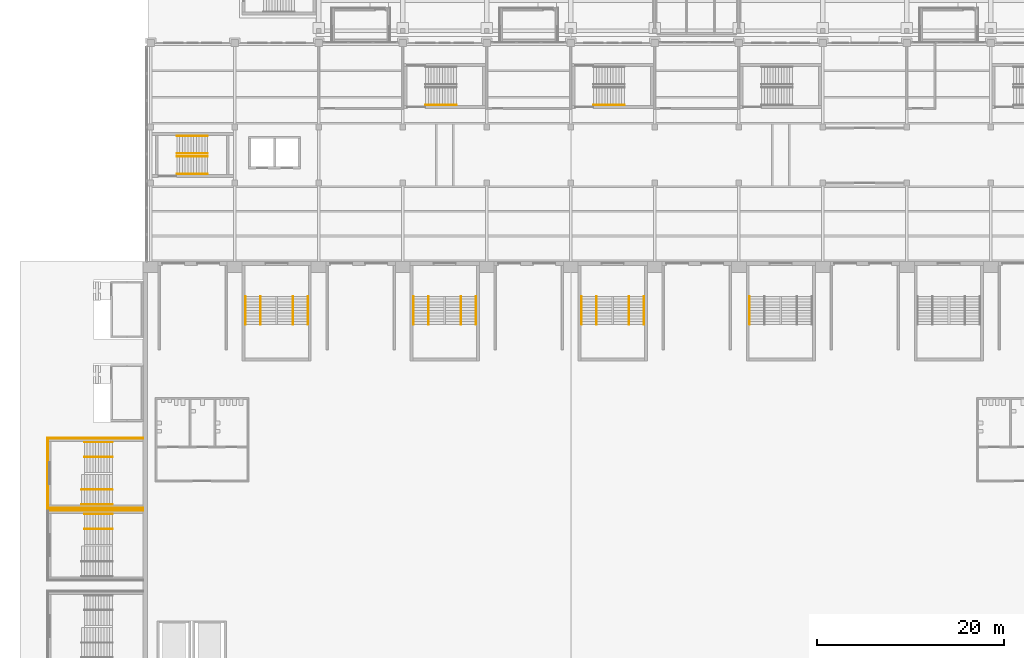
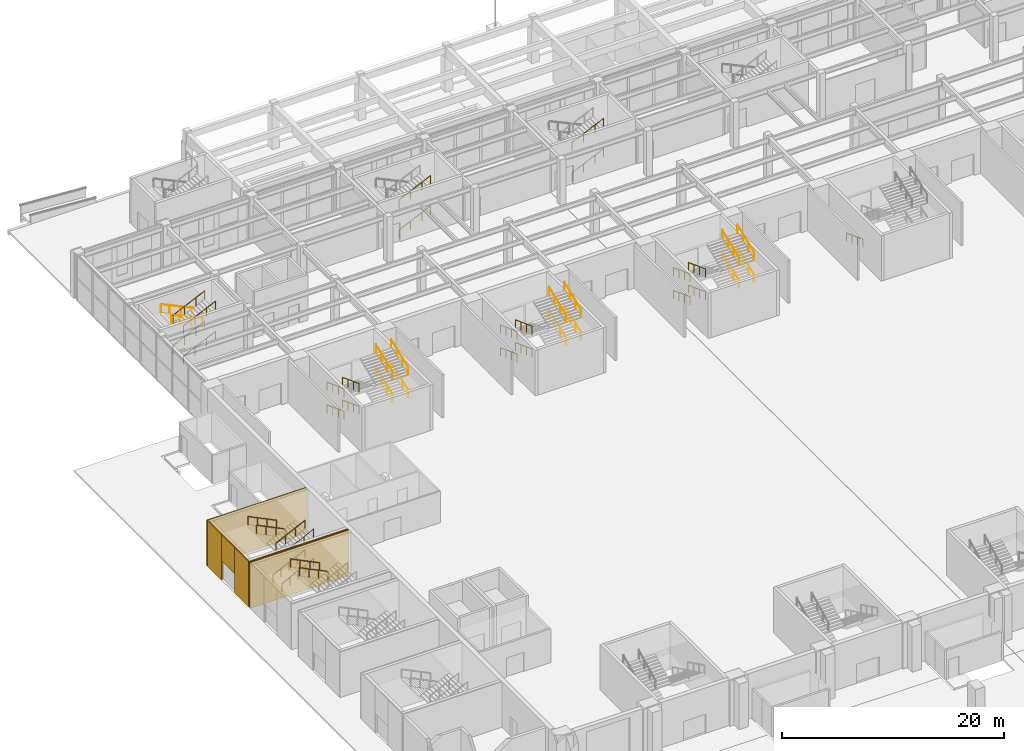
# One storey, part 66 of 77: 43 railings, 6 coverings.
"""IFC4 building model written with IfcOpenShell, lengths in metres."""

from ifc_helpers import new_model, si_unit, direction, frame, origin, origin_2d, place, context, subcontext, project, spatial, polyline, circle, outline, extrude, material, layer, layer_set, type_object, element, save


model = new_model("IFC4")

# Units and contexts
model_context = context("Model", 3, precision=1e-05, world=origin(), true_north=direction((0.0, 1.0)))
body_context = subcontext(model_context, "Body", "Model", "MODEL_VIEW")
ifc_project = project(units=[si_unit("LENGTHUNIT", "METRE"), si_unit("AREAUNIT", "SQUARE_METRE"), si_unit("VOLUMEUNIT", "CUBIC_METRE"), si_unit("PLANEANGLEUNIT", "RADIAN"), si_unit("MASSUNIT", "GRAM", prefix="KILO")], contexts=[model_context])

# Site, building, storey
site_placement = place(None, origin())
site = spatial("IfcSite", under=ifc_project, at=site_placement, CompositionType="ELEMENT")
building_placement = place(site_placement, origin())
building = spatial("IfcBuilding", under=site, at=building_placement, Name="Aravalli Gate Trade Fair Centre", CompositionType="ELEMENT")
storey_placement = place(building_placement, origin())
storey = spatial("IfcBuildingStorey", under=building, at=storey_placement, Name="L00", CompositionType="ELEMENT", Elevation=0.0)

# Railings
ifc_material_1 = material(Name="Steel E350", Category="steel")
railing_type_1 = type_object("IfcRailingType", Name="Concourse stair handrail 900", PredefinedType="HANDRAIL", material=ifc_material_1)
for number, where, name in (
    (1, (8.800048828125, 118.949951171875, 0.138916015625), "Handrail WS L00 flight 1o"),
    (2, (8.800048828125, 120.85009765625, 0.138916015625), "Handrail WS L00 flight 1i"),
):
    element("IfcRailing", number, at=place(storey_placement, frame(where)), inside=storey, type_object=railing_type_1, Name=name, PredefinedType="HANDRAIL", context=body_context, shape_type="SweptSolid", body=[
        extrude(circle(Radius=0.02392578125, at=origin_2d()), frame((0.0, 0.0, 0.8759765625), z_axis=(0.907499493834, 0.0, 0.420053173647), x_axis=(0.0, 1.0, 0.0)), (0.0, 0.0, 1.0), 1.322265625),
        extrude(circle(Radius=0.02392578125, at=origin_2d()), frame((1.199951171875, 0.0, 1.43115234375), z_axis=(0.907429102623, 0.0, 0.420205216189), x_axis=(0.0, 1.0, 0.0)), (0.0, 0.0, 1.0), 1.322265625),
        extrude(circle(Radius=0.02392578125, at=origin_2d()), frame((2.39990234375, 0.0, 1.98681640625), z_axis=(0.907461694017, 0.0, 0.420134828231), x_axis=(0.0, 1.0, 0.0)), (0.0, 0.0, 1.0), 0.991943359375),
        extrude(circle(Radius=0.02099609375, at=origin_2d()), origin(), (0.0, 0.0, 1.0), 0.851806640625),
        extrude(circle(Radius=0.02099609375, at=origin_2d()), frame((1.199951171875, 0.0, 0.555419921875)), (0.0, 0.0, 1.0), 0.851806640625),
        extrude(circle(Radius=0.02099609375, at=origin_2d()), frame((2.39990234375, 0.0, 1.111083984375)), (0.0, 0.0, 1.0), 0.851806640625),
        extrude(circle(Radius=0.02099609375, at=origin_2d()), frame((3.300048828125, 0.0, 1.52783203125)), (0.0, 0.0, 1.0), 0.851806640625),
    ])
for number, where, name in (
    (3, (12.10009765625, 123.050048828125, 1.8056640625), "Handrail WS L00 flight 2o"),
    (4, (12.10009765625, 121.14990234375, 1.8056640625), "Handrail WS L00 flight 2i"),
):
    element("IfcRailing", number, at=place(storey_placement, frame(where)), inside=storey, type_object=railing_type_1, Name=name, PredefinedType="HANDRAIL", context=body_context, shape_type="SweptSolid", body=[
        extrude(circle(Radius=0.02392578125, at=origin_2d()), frame((0.0, 0.0, 0.8759765625), z_axis=(-0.907532064172, 0.0, 0.419982800242), x_axis=(0.0, -1.0, 0.0)), (0.0, 0.0, 1.0), 1.322509765625),
        extrude(circle(Radius=0.02392578125, at=origin_2d()), frame((-1.2001953125, 0.0, 1.43115234375), z_axis=(-0.907429102623, 0.0, 0.420205216189), x_axis=(0.0, -1.0, 0.0)), (0.0, 0.0, 1.0), 1.322265625),
        extrude(circle(Radius=0.02392578125, at=origin_2d()), frame((-2.400146484375, 0.0, 1.98681640625), z_axis=(-0.907512096258, 0.0, 0.420025945799), x_axis=(0.0, -1.0, 0.0)), (0.0, 0.0, 1.0), 0.99169921875),
        extrude(circle(Radius=0.02099609375, at=origin_2d()), origin(), (0.0, 0.0, 1.0), 0.851806640625),
        extrude(circle(Radius=0.02099609375, at=origin_2d()), frame((-1.2001953125, 0.0, 0.555419921875)), (0.0, 0.0, 1.0), 0.851806640625),
        extrude(circle(Radius=0.02099609375, at=origin_2d()), frame((-2.400146484375, 0.0, 1.111083984375)), (0.0, 0.0, 1.0), 0.851806640625),
        extrude(circle(Radius=0.02099609375, at=origin_2d()), frame((-3.300048828125, 0.0, 1.527587890625)), (0.0, 0.0, 1.0), 0.851806640625),
    ])
for number, where, name in (
    (5, (8.800048828125, 118.949951171875, 3.47216796875), "Handrail WS L00 flight 3o"),
    (6, (8.800048828125, 120.85009765625, 3.47216796875), "Handrail WS L00 flight 3i"),
):
    element("IfcRailing", number, at=place(storey_placement, frame(where)), inside=storey, type_object=railing_type_1, Name=name, PredefinedType="HANDRAIL", context=body_context, shape_type="SweptSolid", body=[
        extrude(circle(Radius=0.02392578125, at=origin_2d()), frame((0.0, 0.0, 0.8759765625), z_axis=(0.907429102623, 0.0, 0.420205216189), x_axis=(0.0, 1.0, 0.0)), (0.0, 0.0, 1.0), 1.322265625),
        extrude(circle(Radius=0.02392578125, at=origin_2d()), frame((1.199951171875, 0.0, 1.431640625), z_axis=(0.907499493834, 0.0, 0.420053173647), x_axis=(0.0, 1.0, 0.0)), (0.0, 0.0, 1.0), 1.322265625),
        extrude(circle(Radius=0.02392578125, at=origin_2d()), frame((2.39990234375, 0.0, 1.98681640625), z_axis=(0.907461694017, 0.0, 0.420134828231), x_axis=(0.0, 1.0, 0.0)), (0.0, 0.0, 1.0), 0.991943359375),
        extrude(circle(Radius=0.02099609375, at=origin_2d()), origin(), (0.0, 0.0, 1.0), 0.851806640625),
        extrude(circle(Radius=0.02099609375, at=origin_2d()), frame((1.199951171875, 0.0, 0.5556640625)), (0.0, 0.0, 1.0), 0.851806640625),
        extrude(circle(Radius=0.02099609375, at=origin_2d()), frame((2.39990234375, 0.0, 1.111083984375)), (0.0, 0.0, 1.0), 0.851806640625),
        extrude(circle(Radius=0.02099609375, at=origin_2d()), frame((3.300048828125, 0.0, 1.52783203125)), (0.0, 0.0, 1.0), 0.851806640625),
    ])
railing_1_placement = place(storey_placement, frame((35.449951171875, 126.35009765625, 0.138916015625)))
element("IfcRailing", 7, at=railing_1_placement, inside=storey, type_object=railing_type_1, Name="Handrail XA L00 flight 1o", PredefinedType="HANDRAIL", context=body_context, shape_type="SweptSolid", body=[
    extrude(circle(Radius=0.02392578125, at=origin_2d()), frame((0.0, 0.0, 0.8759765625), z_axis=(0.907499493834, 0.0, 0.420053173647), x_axis=(0.0, 1.0, 0.0)), (0.0, 0.0, 1.0), 1.322265625),
    extrude(circle(Radius=0.02392578125, at=origin_2d()), frame((1.199951171875, 0.0, 1.43115234375), z_axis=(0.907461694017, 0.0, 0.420134828231), x_axis=(0.0, 1.0, 0.0)), (0.0, 0.0, 1.0), 1.322509765625),
    extrude(circle(Radius=0.02392578125, at=origin_2d()), frame((2.400146484375, 0.0, 1.98681640625), z_axis=(0.907418235185, 0.0, 0.420228683522), x_axis=(0.0, 1.0, 0.0)), (0.0, 0.0, 1.0), 0.99169921875),
    extrude(circle(Radius=0.02099609375, at=origin_2d()), origin(), (0.0, 0.0, 1.0), 0.851806640625),
    extrude(circle(Radius=0.02099609375, at=origin_2d()), frame((1.199951171875, 0.0, 0.555419921875)), (0.0, 0.0, 1.0), 0.851806640625),
    extrude(circle(Radius=0.02099609375, at=origin_2d()), frame((2.400146484375, 0.0, 1.111083984375)), (0.0, 0.0, 1.0), 0.851806640625),
    extrude(circle(Radius=0.02099609375, at=origin_2d()), frame((3.300048828125, 0.0, 1.52783203125)), (0.0, 0.0, 1.0), 0.851806640625),
])
railing_2_placement = place(storey_placement, frame((35.449951171875, 126.35009765625, 3.47216796875)))
element("IfcRailing", 8, at=railing_2_placement, inside=storey, type_object=railing_type_1, Name="Handrail XA L00 flight 3o", PredefinedType="HANDRAIL", context=body_context, shape_type="SweptSolid", body=[
    extrude(circle(Radius=0.02392578125, at=origin_2d()), frame((0.0, 0.0, 0.8759765625), z_axis=(0.907429102623, 0.0, 0.420205216189), x_axis=(0.0, 1.0, 0.0)), (0.0, 0.0, 1.0), 1.322265625),
    extrude(circle(Radius=0.02392578125, at=origin_2d()), frame((1.199951171875, 0.0, 1.431640625), z_axis=(0.907532064172, 0.0, 0.419982800242), x_axis=(0.0, 1.0, 0.0)), (0.0, 0.0, 1.0), 1.322509765625),
    extrude(circle(Radius=0.02392578125, at=origin_2d()), frame((2.400146484375, 0.0, 1.98681640625), z_axis=(0.907418235185, 0.0, 0.420228683522), x_axis=(0.0, 1.0, 0.0)), (0.0, 0.0, 1.0), 0.99169921875),
    extrude(circle(Radius=0.02099609375, at=origin_2d()), origin(), (0.0, 0.0, 1.0), 0.851806640625),
    extrude(circle(Radius=0.02099609375, at=origin_2d()), frame((1.199951171875, 0.0, 0.5556640625)), (0.0, 0.0, 1.0), 0.851806640625),
    extrude(circle(Radius=0.02099609375, at=origin_2d()), frame((2.400146484375, 0.0, 1.111083984375)), (0.0, 0.0, 1.0), 0.851806640625),
    extrude(circle(Radius=0.02099609375, at=origin_2d()), frame((3.300048828125, 0.0, 1.52783203125)), (0.0, 0.0, 1.0), 0.851806640625),
])
railing_3_placement = place(storey_placement, frame((53.449951171875, 126.35009765625, 0.138916015625)))
element("IfcRailing", 9, at=railing_3_placement, inside=storey, type_object=railing_type_1, Name="Handrail XB L00 flight 1o", PredefinedType="HANDRAIL", context=body_context, shape_type="SweptSolid", body=[
    extrude(circle(Radius=0.02392578125, at=origin_2d()), frame((0.0, 0.0, 0.8759765625), z_axis=(0.907499493834, 0.0, 0.420053173647), x_axis=(0.0, 1.0, 0.0)), (0.0, 0.0, 1.0), 1.322265625),
    extrude(circle(Radius=0.02392578125, at=origin_2d()), frame((1.199951171875, 0.0, 1.43115234375), z_axis=(0.907461694017, 0.0, 0.420134828231), x_axis=(0.0, 1.0, 0.0)), (0.0, 0.0, 1.0), 1.322509765625),
    extrude(circle(Radius=0.02392578125, at=origin_2d()), frame((2.400146484375, 0.0, 1.98681640625), z_axis=(0.907418235185, 0.0, 0.420228683522), x_axis=(0.0, 1.0, 0.0)), (0.0, 0.0, 1.0), 0.99169921875),
    extrude(circle(Radius=0.02099609375, at=origin_2d()), origin(), (0.0, 0.0, 1.0), 0.851806640625),
    extrude(circle(Radius=0.02099609375, at=origin_2d()), frame((1.199951171875, 0.0, 0.555419921875)), (0.0, 0.0, 1.0), 0.851806640625),
    extrude(circle(Radius=0.02099609375, at=origin_2d()), frame((2.400146484375, 0.0, 1.111083984375)), (0.0, 0.0, 1.0), 0.851806640625),
    extrude(circle(Radius=0.02099609375, at=origin_2d()), frame((3.300048828125, 0.0, 1.52783203125)), (0.0, 0.0, 1.0), 0.851806640625),
])
railing_4_placement = place(storey_placement, frame((53.449951171875, 126.35009765625, 3.47216796875)))
element("IfcRailing", 10, at=railing_4_placement, inside=storey, type_object=railing_type_1, Name="Handrail XB L00 flight 3o", PredefinedType="HANDRAIL", context=body_context, shape_type="SweptSolid", body=[
    extrude(circle(Radius=0.02392578125, at=origin_2d()), frame((0.0, 0.0, 0.8759765625), z_axis=(0.907429102623, 0.0, 0.420205216189), x_axis=(0.0, 1.0, 0.0)), (0.0, 0.0, 1.0), 1.322265625),
    extrude(circle(Radius=0.02392578125, at=origin_2d()), frame((1.199951171875, 0.0, 1.431640625), z_axis=(0.907532064172, 0.0, 0.419982800242), x_axis=(0.0, 1.0, 0.0)), (0.0, 0.0, 1.0), 1.322509765625),
    extrude(circle(Radius=0.02392578125, at=origin_2d()), frame((2.400146484375, 0.0, 1.98681640625), z_axis=(0.907418235185, 0.0, 0.420228683522), x_axis=(0.0, 1.0, 0.0)), (0.0, 0.0, 1.0), 0.99169921875),
    extrude(circle(Radius=0.02099609375, at=origin_2d()), origin(), (0.0, 0.0, 1.0), 0.851806640625),
    extrude(circle(Radius=0.02099609375, at=origin_2d()), frame((1.199951171875, 0.0, 0.5556640625)), (0.0, 0.0, 1.0), 0.851806640625),
    extrude(circle(Radius=0.02099609375, at=origin_2d()), frame((2.400146484375, 0.0, 1.111083984375)), (0.0, 0.0, 1.0), 0.851806640625),
    extrude(circle(Radius=0.02099609375, at=origin_2d()), frame((3.300048828125, 0.0, 1.52783203125)), (0.0, 0.0, 1.0), 0.851806640625),
])

# Coverings
ifc_material_2 = material(Name="Terracotta", Category="masonry")
ifc_layer = layer(ifc_material_2, 0.10009765625)
ifc_layer_set = layer_set([ifc_layer], Name="Terracotta")
covering_type = type_object("IfcCoveringType", Name="End tower cladding 100", PredefinedType="CLADDING", material=ifc_layer_set)
covering_1_placement = place(storey_placement, origin())
element("IfcCovering", 11, at=covering_1_placement, inside=storey, type_object=covering_type, Name="End tower W2 cladding L00 side B", PredefinedType="CLADDING", context=body_context, shape_type="SweptSolid", body=[
    extrude(outline(polyline([(5.199951171875, 82.89990234375), (-5.10009765625, 82.89990234375), (-5.10009765625, 83.0), (5.199951171875, 83.0), (5.199951171875, 82.89990234375)])), origin(), (0.0, 0.0, 1.0), 5.0),
])
covering_2_placement = place(storey_placement, origin())
element("IfcCovering", 12, at=covering_2_placement, inside=storey, type_object=covering_type, Name="End tower W5 cladding L00 side A", PredefinedType="CLADDING", context=body_context, shape_type="SweptSolid", body=[
    extrude(outline(polyline([(5.199951171875, 83.10009765625), (-5.10009765625, 83.10009765625), (-5.10009765625, 83.199951171875), (5.199951171875, 83.199951171875), (5.199951171875, 83.10009765625)])), origin(), (0.0, 0.0, 1.0), 5.0),
])
covering_3_placement = place(storey_placement, origin())
element("IfcCovering", 13, at=covering_3_placement, inside=storey, type_object=covering_type, Name="End tower W5 cladding L00 side B", PredefinedType="CLADDING", context=body_context, shape_type="SweptSolid", body=[
    extrude(outline(polyline([(5.199951171875, 90.60009765625), (-5.10009765625, 90.60009765625), (-5.10009765625, 90.699951171875), (5.199951171875, 90.699951171875), (5.199951171875, 90.60009765625)])), origin(), (0.0, 0.0, 1.0), 5.0),
])
covering_4_placement = place(storey_placement, origin())
element("IfcCovering", 14, at=covering_4_placement, inside=storey, type_object=covering_type, Name="End tower W5 cladding L00 far left", PredefinedType="CLADDING", context=body_context, shape_type="SweptSolid", body=[
    extrude(outline(polyline([(-5.0, 83.199951171875), (-5.10009765625, 83.199951171875), (-5.10009765625, 85.72509765625), (-5.0, 85.72509765625), (-5.0, 83.199951171875)])), origin(), (0.0, 0.0, 1.0), 5.0),
])
covering_5_placement = place(storey_placement, origin())
element("IfcCovering", 15, at=covering_5_placement, inside=storey, type_object=covering_type, Name="End tower W5 cladding L00 far right", PredefinedType="CLADDING", context=body_context, shape_type="SweptSolid", body=[
    extrude(outline(polyline([(-5.0, 88.074951171875), (-5.10009765625, 88.074951171875), (-5.10009765625, 90.60009765625), (-5.0, 90.60009765625), (-5.0, 88.074951171875)])), origin(), (0.0, 0.0, 1.0), 5.0),
])
covering_6_placement = place(storey_placement, frame((0.0, 0.0, 2.10009765625)))
element("IfcCovering", 16, at=covering_6_placement, inside=storey, type_object=covering_type, Name="End tower W5 cladding L00 above the door", PredefinedType="CLADDING", context=body_context, shape_type="SweptSolid", body=[
    extrude(outline(polyline([(-5.0, 85.72509765625), (-5.10009765625, 85.72509765625), (-5.10009765625, 88.074951171875), (-5.0, 88.074951171875), (-5.0, 85.72509765625)])), origin(), (0.0, 0.0, 1.0), 2.89990234375),
])

# Railings
railing_type_2 = type_object("IfcRailingType", Name="Stair handrail 900", PredefinedType="HANDRAIL", material=ifc_material_1)
for number, where, name in (
    (17, (16.169921875, 105.85009765625, 0.113525390625), "Handrail N02 L00 1"),
    (18, (17.75, 105.85009765625, 0.113525390625), "Handrail centre N02 L00 2"),
):
    element("IfcRailing", number, at=place(storey_placement, frame(where)), inside=storey, type_object=railing_type_2, Name=name, PredefinedType="HANDRAIL", context=body_context, shape_type="SweptSolid", body=[
        extrude(circle(Radius=0.02392578125, at=origin_2d()), frame((0.0, 0.0, 0.8759765625), z_axis=(0.0, -0.935147985876, 0.354257313985), x_axis=(1.0, 0.0, 0.0)), (0.0, 0.0, 1.0), 3.2080078125),
        extrude(circle(Radius=0.02099609375, at=origin_2d()), origin(), (0.0, 0.0, 1.0), 0.851806640625),
        extrude(circle(Radius=0.02099609375, at=origin_2d()), frame((0.0, -1.0, 0.37890625)), (0.0, 0.0, 1.0), 0.851806640625),
        extrude(circle(Radius=0.02099609375, at=origin_2d()), frame((0.0, -2.0, 0.757568359375)), (0.0, 0.0, 1.0), 0.851806640625),
        extrude(circle(Radius=0.02099609375, at=origin_2d()), frame((0.0, -3.0, 1.136474609375)), (0.0, 0.0, 1.0), 0.851806640625),
    ])
for number, where, name in (
    (19, (22.830078125, 102.85009765625, 1.363525390625), "Handrail N02 L00 3"),
    (20, (21.25, 102.85009765625, 1.363525390625), "Handrail centre N02 L00 4"),
):
    element("IfcRailing", number, at=place(storey_placement, frame(where)), inside=storey, type_object=railing_type_2, Name=name, PredefinedType="HANDRAIL", context=body_context, shape_type="SweptSolid", body=[
        extrude(circle(Radius=0.02392578125, at=origin_2d()), frame((0.0, 0.0, 0.8759765625), z_axis=(0.0, 0.935147985876, 0.354257313985), x_axis=(-1.0, 0.0, 0.0)), (0.0, 0.0, 1.0), 3.2080078125),
        extrude(circle(Radius=0.02099609375, at=origin_2d()), origin(), (0.0, 0.0, 1.0), 0.851806640625),
        extrude(circle(Radius=0.02099609375, at=origin_2d()), frame((0.0, 1.0, 0.37890625)), (0.0, 0.0, 1.0), 0.851806640625),
        extrude(circle(Radius=0.02099609375, at=origin_2d()), frame((0.0, 2.0, 0.757568359375)), (0.0, 0.0, 1.0), 0.851806640625),
        extrude(circle(Radius=0.02099609375, at=origin_2d()), frame((0.0, 3.0, 1.136474609375)), (0.0, 0.0, 1.0), 0.851806640625),
    ])
for number, where, name in (
    (21, (16.169921875, 105.85009765625, 2.613525390625), "Handrail N02 L00 5"),
    (22, (17.75, 105.85009765625, 2.613525390625), "Handrail centre N02 L00 6"),
):
    element("IfcRailing", number, at=place(storey_placement, frame(where)), inside=storey, type_object=railing_type_2, Name=name, PredefinedType="HANDRAIL", context=body_context, shape_type="SweptSolid", body=[
        extrude(circle(Radius=0.02392578125, at=origin_2d()), frame((0.0, 0.0, 0.8759765625), z_axis=(0.0, -0.935147985876, 0.354257313985), x_axis=(1.0, 0.0, 0.0)), (0.0, 0.0, 1.0), 3.2080078125),
        extrude(circle(Radius=0.02099609375, at=origin_2d()), origin(), (0.0, 0.0, 1.0), 0.851806640625),
        extrude(circle(Radius=0.02099609375, at=origin_2d()), frame((0.0, -1.0, 0.37890625)), (0.0, 0.0, 1.0), 0.851806640625),
        extrude(circle(Radius=0.02099609375, at=origin_2d()), frame((0.0, -2.0, 0.757568359375)), (0.0, 0.0, 1.0), 0.851806640625),
        extrude(circle(Radius=0.02099609375, at=origin_2d()), frame((0.0, -3.0, 1.136474609375)), (0.0, 0.0, 1.0), 0.851806640625),
    ])
for number, where, name in (
    (23, (22.830078125, 102.85009765625, 3.863525390625), "Handrail N02 L00 7"),
    (24, (21.25, 102.85009765625, 3.863525390625), "Handrail centre N02 L00 8"),
):
    element("IfcRailing", number, at=place(storey_placement, frame(where)), inside=storey, type_object=railing_type_2, Name=name, PredefinedType="HANDRAIL", context=body_context, shape_type="SweptSolid", body=[
        extrude(circle(Radius=0.02392578125, at=origin_2d()), frame((0.0, 0.0, 0.8759765625), z_axis=(0.0, 0.935147985876, 0.354257313985), x_axis=(-1.0, 0.0, 0.0)), (0.0, 0.0, 1.0), 3.2080078125),
        extrude(circle(Radius=0.02099609375, at=origin_2d()), origin(), (0.0, 0.0, 1.0), 0.851806640625),
        extrude(circle(Radius=0.02099609375, at=origin_2d()), frame((0.0, 1.0, 0.37890625)), (0.0, 0.0, 1.0), 0.851806640625),
        extrude(circle(Radius=0.02099609375, at=origin_2d()), frame((0.0, 2.0, 0.757568359375)), (0.0, 0.0, 1.0), 0.851806640625),
        extrude(circle(Radius=0.02099609375, at=origin_2d()), frame((0.0, 3.0, 1.136474609375)), (0.0, 0.0, 1.0), 0.851806640625),
    ])
for number, where, name in (
    (25, (34.169921875, 105.85009765625, 0.113525390625), "Handrail N04 L00 1"),
    (26, (35.75, 105.85009765625, 0.113525390625), "Handrail centre N04 L00 2"),
):
    element("IfcRailing", number, at=place(storey_placement, frame(where)), inside=storey, type_object=railing_type_2, Name=name, PredefinedType="HANDRAIL", context=body_context, shape_type="SweptSolid", body=[
        extrude(circle(Radius=0.02392578125, at=origin_2d()), frame((0.0, 0.0, 0.8759765625), z_axis=(0.0, -0.935147985876, 0.354257313985), x_axis=(1.0, 0.0, 0.0)), (0.0, 0.0, 1.0), 3.2080078125),
        extrude(circle(Radius=0.02099609375, at=origin_2d()), origin(), (0.0, 0.0, 1.0), 0.851806640625),
        extrude(circle(Radius=0.02099609375, at=origin_2d()), frame((0.0, -1.0, 0.37890625)), (0.0, 0.0, 1.0), 0.851806640625),
        extrude(circle(Radius=0.02099609375, at=origin_2d()), frame((0.0, -2.0, 0.757568359375)), (0.0, 0.0, 1.0), 0.851806640625),
        extrude(circle(Radius=0.02099609375, at=origin_2d()), frame((0.0, -3.0, 1.136474609375)), (0.0, 0.0, 1.0), 0.851806640625),
    ])
for number, where, name in (
    (27, (40.830078125, 102.85009765625, 1.363525390625), "Handrail N04 L00 3"),
    (28, (39.25, 102.85009765625, 1.363525390625), "Handrail centre N04 L00 4"),
):
    element("IfcRailing", number, at=place(storey_placement, frame(where)), inside=storey, type_object=railing_type_2, Name=name, PredefinedType="HANDRAIL", context=body_context, shape_type="SweptSolid", body=[
        extrude(circle(Radius=0.02392578125, at=origin_2d()), frame((0.0, 0.0, 0.8759765625), z_axis=(0.0, 0.935147985876, 0.354257313985), x_axis=(-1.0, 0.0, 0.0)), (0.0, 0.0, 1.0), 3.2080078125),
        extrude(circle(Radius=0.02099609375, at=origin_2d()), origin(), (0.0, 0.0, 1.0), 0.851806640625),
        extrude(circle(Radius=0.02099609375, at=origin_2d()), frame((0.0, 1.0, 0.37890625)), (0.0, 0.0, 1.0), 0.851806640625),
        extrude(circle(Radius=0.02099609375, at=origin_2d()), frame((0.0, 2.0, 0.757568359375)), (0.0, 0.0, 1.0), 0.851806640625),
        extrude(circle(Radius=0.02099609375, at=origin_2d()), frame((0.0, 3.0, 1.136474609375)), (0.0, 0.0, 1.0), 0.851806640625),
    ])
for number, where, name in (
    (29, (34.169921875, 105.85009765625, 2.613525390625), "Handrail N04 L00 5"),
    (30, (35.75, 105.85009765625, 2.613525390625), "Handrail centre N04 L00 6"),
):
    element("IfcRailing", number, at=place(storey_placement, frame(where)), inside=storey, type_object=railing_type_2, Name=name, PredefinedType="HANDRAIL", context=body_context, shape_type="SweptSolid", body=[
        extrude(circle(Radius=0.02392578125, at=origin_2d()), frame((0.0, 0.0, 0.8759765625), z_axis=(0.0, -0.935147985876, 0.354257313985), x_axis=(1.0, 0.0, 0.0)), (0.0, 0.0, 1.0), 3.2080078125),
        extrude(circle(Radius=0.02099609375, at=origin_2d()), origin(), (0.0, 0.0, 1.0), 0.851806640625),
        extrude(circle(Radius=0.02099609375, at=origin_2d()), frame((0.0, -1.0, 0.37890625)), (0.0, 0.0, 1.0), 0.851806640625),
        extrude(circle(Radius=0.02099609375, at=origin_2d()), frame((0.0, -2.0, 0.757568359375)), (0.0, 0.0, 1.0), 0.851806640625),
        extrude(circle(Radius=0.02099609375, at=origin_2d()), frame((0.0, -3.0, 1.136474609375)), (0.0, 0.0, 1.0), 0.851806640625),
    ])
for number, where, name in (
    (31, (40.830078125, 102.85009765625, 3.863525390625), "Handrail N04 L00 7"),
    (32, (39.25, 102.85009765625, 3.863525390625), "Handrail centre N04 L00 8"),
):
    element("IfcRailing", number, at=place(storey_placement, frame(where)), inside=storey, type_object=railing_type_2, Name=name, PredefinedType="HANDRAIL", context=body_context, shape_type="SweptSolid", body=[
        extrude(circle(Radius=0.02392578125, at=origin_2d()), frame((0.0, 0.0, 0.8759765625), z_axis=(0.0, 0.935147985876, 0.354257313985), x_axis=(-1.0, 0.0, 0.0)), (0.0, 0.0, 1.0), 3.2080078125),
        extrude(circle(Radius=0.02099609375, at=origin_2d()), origin(), (0.0, 0.0, 1.0), 0.851806640625),
        extrude(circle(Radius=0.02099609375, at=origin_2d()), frame((0.0, 1.0, 0.37890625)), (0.0, 0.0, 1.0), 0.851806640625),
        extrude(circle(Radius=0.02099609375, at=origin_2d()), frame((0.0, 2.0, 0.757568359375)), (0.0, 0.0, 1.0), 0.851806640625),
        extrude(circle(Radius=0.02099609375, at=origin_2d()), frame((0.0, 3.0, 1.136474609375)), (0.0, 0.0, 1.0), 0.851806640625),
    ])
for number, where, name in (
    (33, (52.169921875, 105.85009765625, 0.113525390625), "Handrail N06 L00 1"),
    (34, (53.75, 105.85009765625, 0.113525390625), "Handrail centre N06 L00 2"),
):
    element("IfcRailing", number, at=place(storey_placement, frame(where)), inside=storey, type_object=railing_type_2, Name=name, PredefinedType="HANDRAIL", context=body_context, shape_type="SweptSolid", body=[
        extrude(circle(Radius=0.02392578125, at=origin_2d()), frame((0.0, 0.0, 0.8759765625), z_axis=(0.0, -0.935147985876, 0.354257313985), x_axis=(1.0, 0.0, 0.0)), (0.0, 0.0, 1.0), 3.2080078125),
        extrude(circle(Radius=0.02099609375, at=origin_2d()), origin(), (0.0, 0.0, 1.0), 0.851806640625),
        extrude(circle(Radius=0.02099609375, at=origin_2d()), frame((0.0, -1.0, 0.37890625)), (0.0, 0.0, 1.0), 0.851806640625),
        extrude(circle(Radius=0.02099609375, at=origin_2d()), frame((0.0, -2.0, 0.757568359375)), (0.0, 0.0, 1.0), 0.851806640625),
        extrude(circle(Radius=0.02099609375, at=origin_2d()), frame((0.0, -3.0, 1.136474609375)), (0.0, 0.0, 1.0), 0.851806640625),
    ])
for number, where, name in (
    (35, (58.830078125, 102.85009765625, 1.363525390625), "Handrail N06 L00 3"),
    (36, (57.25, 102.85009765625, 1.363525390625), "Handrail centre N06 L00 4"),
):
    element("IfcRailing", number, at=place(storey_placement, frame(where)), inside=storey, type_object=railing_type_2, Name=name, PredefinedType="HANDRAIL", context=body_context, shape_type="SweptSolid", body=[
        extrude(circle(Radius=0.02392578125, at=origin_2d()), frame((0.0, 0.0, 0.8759765625), z_axis=(0.0, 0.935147985876, 0.354257313985), x_axis=(-1.0, 0.0, 0.0)), (0.0, 0.0, 1.0), 3.2080078125),
        extrude(circle(Radius=0.02099609375, at=origin_2d()), origin(), (0.0, 0.0, 1.0), 0.851806640625),
        extrude(circle(Radius=0.02099609375, at=origin_2d()), frame((0.0, 1.0, 0.37890625)), (0.0, 0.0, 1.0), 0.851806640625),
        extrude(circle(Radius=0.02099609375, at=origin_2d()), frame((0.0, 2.0, 0.757568359375)), (0.0, 0.0, 1.0), 0.851806640625),
        extrude(circle(Radius=0.02099609375, at=origin_2d()), frame((0.0, 3.0, 1.136474609375)), (0.0, 0.0, 1.0), 0.851806640625),
    ])
for number, where, name in (
    (37, (52.169921875, 105.85009765625, 2.613525390625), "Handrail N06 L00 5"),
    (38, (53.75, 105.85009765625, 2.613525390625), "Handrail centre N06 L00 6"),
):
    element("IfcRailing", number, at=place(storey_placement, frame(where)), inside=storey, type_object=railing_type_2, Name=name, PredefinedType="HANDRAIL", context=body_context, shape_type="SweptSolid", body=[
        extrude(circle(Radius=0.02392578125, at=origin_2d()), frame((0.0, 0.0, 0.8759765625), z_axis=(0.0, -0.935147985876, 0.354257313985), x_axis=(1.0, 0.0, 0.0)), (0.0, 0.0, 1.0), 3.2080078125),
        extrude(circle(Radius=0.02099609375, at=origin_2d()), origin(), (0.0, 0.0, 1.0), 0.851806640625),
        extrude(circle(Radius=0.02099609375, at=origin_2d()), frame((0.0, -1.0, 0.37890625)), (0.0, 0.0, 1.0), 0.851806640625),
        extrude(circle(Radius=0.02099609375, at=origin_2d()), frame((0.0, -2.0, 0.757568359375)), (0.0, 0.0, 1.0), 0.851806640625),
        extrude(circle(Radius=0.02099609375, at=origin_2d()), frame((0.0, -3.0, 1.136474609375)), (0.0, 0.0, 1.0), 0.851806640625),
    ])
for number, where, name in (
    (39, (58.830078125, 102.85009765625, 3.863525390625), "Handrail N06 L00 7"),
    (40, (57.25, 102.85009765625, 3.863525390625), "Handrail centre N06 L00 8"),
):
    element("IfcRailing", number, at=place(storey_placement, frame(where)), inside=storey, type_object=railing_type_2, Name=name, PredefinedType="HANDRAIL", context=body_context, shape_type="SweptSolid", body=[
        extrude(circle(Radius=0.02392578125, at=origin_2d()), frame((0.0, 0.0, 0.8759765625), z_axis=(0.0, 0.935147985876, 0.354257313985), x_axis=(-1.0, 0.0, 0.0)), (0.0, 0.0, 1.0), 3.2080078125),
        extrude(circle(Radius=0.02099609375, at=origin_2d()), origin(), (0.0, 0.0, 1.0), 0.851806640625),
        extrude(circle(Radius=0.02099609375, at=origin_2d()), frame((0.0, 1.0, 0.37890625)), (0.0, 0.0, 1.0), 0.851806640625),
        extrude(circle(Radius=0.02099609375, at=origin_2d()), frame((0.0, 2.0, 0.757568359375)), (0.0, 0.0, 1.0), 0.851806640625),
        extrude(circle(Radius=0.02099609375, at=origin_2d()), frame((0.0, 3.0, 1.136474609375)), (0.0, 0.0, 1.0), 0.851806640625),
    ])
railing_5_placement = place(storey_placement, frame((70.169921875, 105.85009765625, 0.113525390625)))
element("IfcRailing", 41, at=railing_5_placement, inside=storey, type_object=railing_type_2, Name="Handrail N08 L00 1", PredefinedType="HANDRAIL", context=body_context, shape_type="SweptSolid", body=[
    extrude(circle(Radius=0.02392578125, at=origin_2d()), frame((0.0, 0.0, 0.8759765625), z_axis=(0.0, -0.935147985876, 0.354257313985), x_axis=(1.0, 0.0, 0.0)), (0.0, 0.0, 1.0), 3.2080078125),
    extrude(circle(Radius=0.02099609375, at=origin_2d()), origin(), (0.0, 0.0, 1.0), 0.851806640625),
    extrude(circle(Radius=0.02099609375, at=origin_2d()), frame((0.0, -1.0, 0.37890625)), (0.0, 0.0, 1.0), 0.851806640625),
    extrude(circle(Radius=0.02099609375, at=origin_2d()), frame((0.0, -2.0, 0.757568359375)), (0.0, 0.0, 1.0), 0.851806640625),
    extrude(circle(Radius=0.02099609375, at=origin_2d()), frame((0.0, -3.0, 1.136474609375)), (0.0, 0.0, 1.0), 0.851806640625),
])
for number, where, name in (
    (42, (1.89990234375, 82.530029296875, 1.911865234375), "Handrail W2 L00 3"),
    (43, (1.89990234375, 80.949951171875, 1.911865234375), "Handrail centre W2 L00 4"),
):
    element("IfcRailing", number, at=place(storey_placement, frame(where)), inside=storey, type_object=railing_type_2, Name=name, PredefinedType="HANDRAIL", context=body_context, shape_type="SweptSolid", body=[
        extrude(circle(Radius=0.02392578125, at=origin_2d()), frame((0.0, 0.0, 0.8759765625), z_axis=(-0.897936012048, 0.0, 0.440126025437), x_axis=(0.0, -1.0, 0.0)), (0.0, 0.0, 1.0), 3.341064453125),
        extrude(circle(Radius=0.02099609375, at=origin_2d()), origin(), (0.0, 0.0, 1.0), 0.851806640625),
        extrude(circle(Radius=0.02099609375, at=origin_2d()), frame((-1.0, 0.0, 0.490234375)), (0.0, 0.0, 1.0), 0.851806640625),
        extrude(circle(Radius=0.02099609375, at=origin_2d()), frame((-2.0, 0.0, 0.980224609375)), (0.0, 0.0, 1.0), 0.851806640625),
        extrude(circle(Radius=0.02099609375, at=origin_2d()), frame((-3.0, 0.0, 1.470458984375)), (0.0, 0.0, 1.0), 0.851806640625),
    ])
for number, where, name in (
    (44, (-1.39990234375, 83.570068359375, 0.147216796875), "Handrail W5 L00 1"),
    (45, (-1.39990234375, 85.14990234375, 0.147216796875), "Handrail centre W5 L00 2"),
):
    element("IfcRailing", number, at=place(storey_placement, frame(where)), inside=storey, type_object=railing_type_2, Name=name, PredefinedType="HANDRAIL", context=body_context, shape_type="SweptSolid", body=[
        extrude(circle(Radius=0.02392578125, at=origin_2d()), frame((0.0, 0.0, 0.8759765625), z_axis=(0.897933593325, 0.0, 0.440130960031), x_axis=(0.0, 1.0, 0.0)), (0.0, 0.0, 1.0), 3.6748046875),
        extrude(circle(Radius=0.02099609375, at=origin_2d()), origin(), (0.0, 0.0, 1.0), 0.851806640625),
        extrude(circle(Radius=0.02099609375, at=origin_2d()), frame((0.824951171875, 0.0, 0.404296875)), (0.0, 0.0, 1.0), 0.851806640625),
        extrude(circle(Radius=0.02099609375, at=origin_2d()), frame((1.64990234375, 0.0, 0.80859375)), (0.0, 0.0, 1.0), 0.851806640625),
        extrude(circle(Radius=0.02099609375, at=origin_2d()), frame((2.474853515625, 0.0, 1.213134765625)), (0.0, 0.0, 1.0), 0.851806640625),
        extrude(circle(Radius=0.02099609375, at=origin_2d()), frame((3.2998046875, 0.0, 1.617431640625)), (0.0, 0.0, 1.0), 0.851806640625),
    ])
for number, where, name in (
    (46, (1.89990234375, 90.22998046875, 1.911865234375), "Handrail W5 L00 3"),
    (47, (1.89990234375, 88.64990234375, 1.911865234375), "Handrail centre W5 L00 4"),
):
    element("IfcRailing", number, at=place(storey_placement, frame(where)), inside=storey, type_object=railing_type_2, Name=name, PredefinedType="HANDRAIL", context=body_context, shape_type="SweptSolid", body=[
        extrude(circle(Radius=0.02392578125, at=origin_2d()), frame((0.0, 0.0, 0.8759765625), z_axis=(-0.897936012048, 0.0, 0.440126025437), x_axis=(0.0, -1.0, 0.0)), (0.0, 0.0, 1.0), 3.341064453125),
        extrude(circle(Radius=0.02099609375, at=origin_2d()), origin(), (0.0, 0.0, 1.0), 0.851806640625),
        extrude(circle(Radius=0.02099609375, at=origin_2d()), frame((-1.0, 0.0, 0.490234375)), (0.0, 0.0, 1.0), 0.851806640625),
        extrude(circle(Radius=0.02099609375, at=origin_2d()), frame((-2.0, 0.0, 0.980224609375)), (0.0, 0.0, 1.0), 0.851806640625),
        extrude(circle(Radius=0.02099609375, at=origin_2d()), frame((-3.0, 0.0, 1.470458984375)), (0.0, 0.0, 1.0), 0.851806640625),
    ])
for number, where, name in (
    (48, (-1.10009765625, 83.570068359375, 3.529296875), "Handrail W5 L00 5"),
    (49, (-1.10009765625, 85.14990234375, 3.529296875), "Handrail centre W5 L00 6"),
):
    element("IfcRailing", number, at=place(storey_placement, frame(where)), inside=storey, type_object=railing_type_2, Name=name, PredefinedType="HANDRAIL", context=body_context, shape_type="SweptSolid", body=[
        extrude(circle(Radius=0.02392578125, at=origin_2d()), frame((0.0, 0.0, 0.8759765625), z_axis=(0.897907131747, 0.0, 0.44018494154), x_axis=(0.0, 1.0, 0.0)), (0.0, 0.0, 1.0), 3.341064453125),
        extrude(circle(Radius=0.02099609375, at=origin_2d()), origin(), (0.0, 0.0, 1.0), 0.851806640625),
        extrude(circle(Radius=0.02099609375, at=origin_2d()), frame((1.0, 0.0, 0.490234375)), (0.0, 0.0, 1.0), 0.851806640625),
        extrude(circle(Radius=0.02099609375, at=origin_2d()), frame((2.0, 0.0, 0.98046875)), (0.0, 0.0, 1.0), 0.851806640625),
        extrude(circle(Radius=0.02099609375, at=origin_2d()), frame((3.0, 0.0, 1.470703125)), (0.0, 0.0, 1.0), 0.851806640625),
    ])

save(model, "model.ifc")
